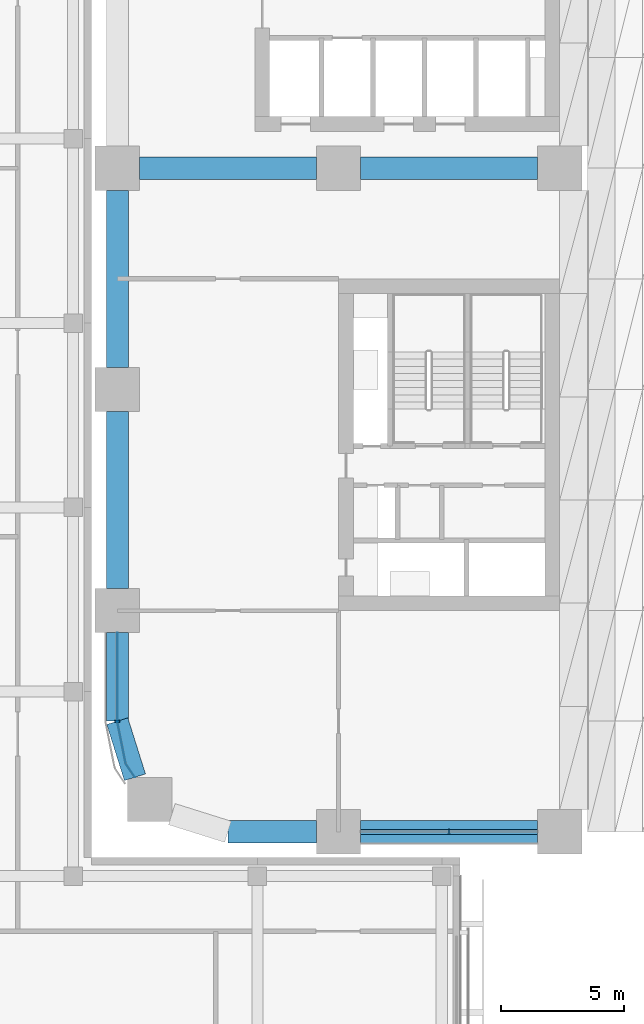
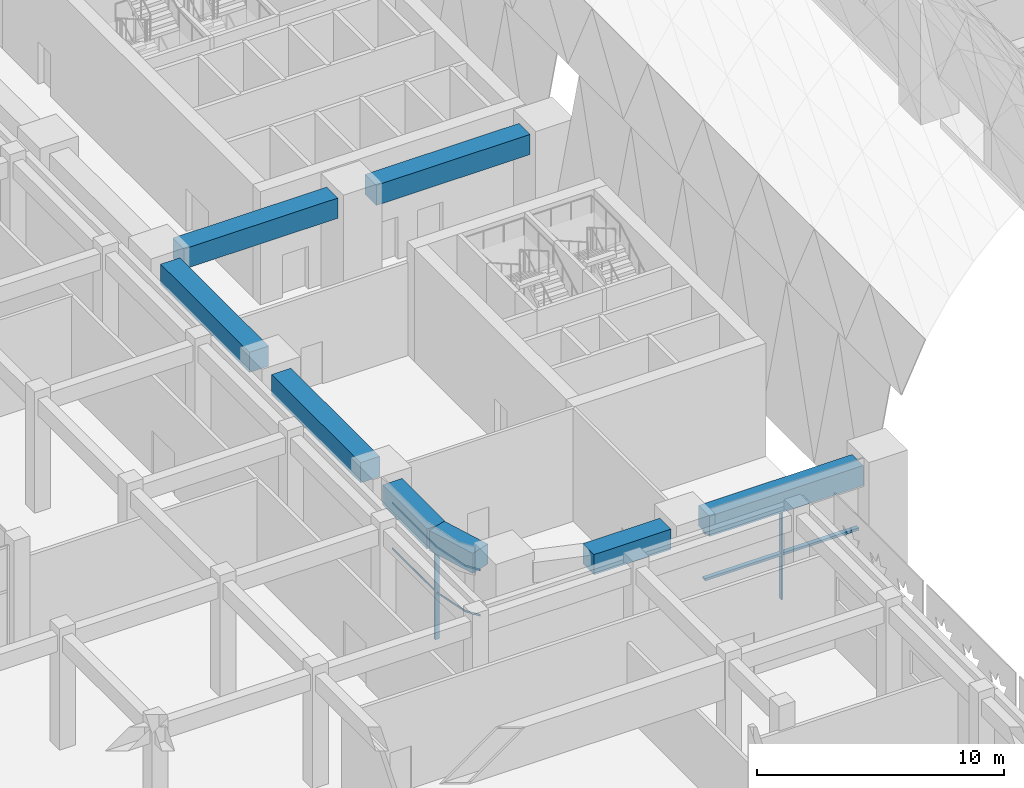
# One storey, part 5 of 46: 8 beams, 6 members, 2 elements without a shape of their own.
"""IFC4 building model written with IfcOpenShell, lengths in metres."""

from ifc_helpers import new_model, si_unit, direction, frame, origin, origin_2d, place, context, subcontext, project, spatial, polyline, rectangle, outline, extrude, material, material_profile, profile_set, type_object, element, aggregate, save


model = new_model("IFC4")

# Units and contexts
model_context = context("Model", 3, precision=1e-05, world=origin(), true_north=direction((0.0, 1.0)))
body_context = subcontext(model_context, "Body", "Model", "MODEL_VIEW")
ifc_project = project(units=[si_unit("LENGTHUNIT", "METRE"), si_unit("AREAUNIT", "SQUARE_METRE"), si_unit("VOLUMEUNIT", "CUBIC_METRE"), si_unit("PLANEANGLEUNIT", "RADIAN"), si_unit("MASSUNIT", "GRAM", prefix="KILO")], contexts=[model_context])

# Site, building, storey
site_placement = place(None, origin())
site = spatial("IfcSite", under=ifc_project, at=site_placement, CompositionType="ELEMENT")
building_placement = place(site_placement, origin())
building = spatial("IfcBuilding", under=site, at=building_placement, Name="Tessera Arch", CompositionType="ELEMENT")
storey_placement = place(building_placement, frame((0.0, 0.0, 8.0)))
storey = spatial("IfcBuildingStorey", under=building, at=storey_placement, Name="L01", CompositionType="ELEMENT", Elevation=8.0)

# Curtain wall, members
ifc_material_1 = material(Name="CW2 curtain wall")
curtain_wall_type_1 = type_object("IfcCurtainWallType", Name="CW2 curtain wall", PredefinedType="NOTDEFINED", material=ifc_material_1)
curtain_wall_1_placement = place(storey_placement, origin())
curtain_wall_1 = element("IfcCurtainWall", 1, at=curtain_wall_1_placement, inside=storey, type_object=curtain_wall_type_1, Name="CW2 curtain wall W0.0/5 L01", PredefinedType="NOTDEFINED")
ifc_material_2 = material(Name="Anodised aluminium pale metal", Category="aluminium")
ifc_material_profile_1 = material_profile(ifc_material_2, rectangle(XDim=0.199951171875, YDim=0.080078125, at=origin_2d()), Name="AL 80x200")
ifc_profile_set_1 = profile_set([ifc_material_profile_1], Name="Anodised aluminium pale metal")
member_type_1 = type_object("IfcMemberType", Name="CW2 mullion", PredefinedType="MULLION", material=ifc_profile_set_1)
member_1_placement = place(storey_placement, frame((0.0, 4.5, 0.0), z_axis=(0.0, 0.0, 1.0), x_axis=(1.0, 0.0, 0.0)))
member_1 = element("IfcMember", 2, at=member_1_placement, type_object=member_type_1, Name="CW2 mullion W0.0/5 1", PredefinedType="MULLION", context=body_context, shape_type="SweptSolid", body=[
    extrude(rectangle(XDim=0.199951171875, YDim=0.080078125, at=origin_2d()), origin(), (0.0, 0.0, 1.0), 4.489990234375),
])
ifc_material_3 = material(Name="Anodised aluminium pale metal", Category="aluminium")
ifc_material_profile_2 = material_profile(ifc_material_3, rectangle(XDim=0.199951171875, YDim=0.10009765625, at=origin_2d()), Name="AL 200x100")
ifc_profile_set_2 = profile_set([ifc_material_profile_2], Name="Anodised aluminium pale metal")
member_type_2 = type_object("IfcMemberType", Name="CW2 transom", PredefinedType="USERDEFINED", material=ifc_profile_set_2)
member_2_placement = place(storey_placement, frame((0.0, 0.0, 2.2451171875)))
member_2 = element("IfcMember", 3, at=member_2_placement, type_object=member_type_2, Name="CW2 transom W0.0/5 1", ObjectType="TRANSOM", PredefinedType="USERDEFINED", context=body_context, shape_type="SweptSolid", body=[
    extrude(outline(polyline([(0.010009765625, 4.5009765625), (0.010009765625, 8.10009765625), (-0.010009765625, 8.10009765625), (-0.010009765625, 4.4990234375), (0.3330078125, 2.77392578125), (0.70849609375, 2.21240234375), (0.72509765625, 2.2236328125), (0.351806640625, 2.78173828125), (0.010009765625, 4.5009765625)])), origin(), (0.0, 0.0, 1.0), 0.099853515625),
])
member_3_placement = place(storey_placement, frame((0.0, 0.0, 4.489990234375)))
member_3 = element("IfcMember", 4, at=member_3_placement, type_object=member_type_2, Name="CW2 transom W0.0/5 2", ObjectType="TRANSOM", PredefinedType="USERDEFINED", context=body_context, shape_type="SweptSolid", body=[
    extrude(outline(polyline([(0.010009765625, 4.5009765625), (0.010009765625, 8.10009765625), (-0.010009765625, 8.10009765625), (-0.010009765625, 4.4990234375), (0.3330078125, 2.77392578125), (0.70849609375, 2.21240234375), (0.72509765625, 2.2236328125), (0.351806640625, 2.78173828125), (0.010009765625, 4.5009765625)])), origin(), (0.0, 0.0, 1.0), 0.10009765625),
])
aggregate(curtain_wall_1, [member_1, member_2, member_3])

ifc_material_4 = material(Name="CW6 curtain wall")
curtain_wall_type_2 = type_object("IfcCurtainWallType", Name="CW6 curtain wall", PredefinedType="NOTDEFINED", material=ifc_material_4)
curtain_wall_2_placement = place(storey_placement, origin())
curtain_wall_2 = element("IfcCurtainWall", 5, at=curtain_wall_2_placement, inside=storey, type_object=curtain_wall_type_2, Name="CW6 curtain wall S0.0/1 L01", PredefinedType="NOTDEFINED")
ifc_material_5 = material(Name="Anodised aluminium pale metal", Category="aluminium")
ifc_material_profile_3 = material_profile(ifc_material_5, rectangle(XDim=0.199951171875, YDim=0.070068359375, at=origin_2d()), Name="AL 70x200")
ifc_profile_set_3 = profile_set([ifc_material_profile_3], Name="Anodised aluminium pale metal")
member_type_3 = type_object("IfcMemberType", Name="CW6 mullion", PredefinedType="MULLION", material=ifc_profile_set_3)
member_4_placement = place(storey_placement, frame((13.5, 0.0, 0.0), z_axis=(0.0, 0.0, 1.0), x_axis=(0.0, 1.0, 0.0)))
member_4 = element("IfcMember", 6, at=member_4_placement, type_object=member_type_3, Name="CW6 mullion S0.0/1 1", PredefinedType="MULLION", context=body_context, shape_type="SweptSolid", body=[
    extrude(rectangle(XDim=0.199951171875, YDim=0.070068359375, at=origin_2d()), origin(), (0.0, 0.0, 1.0), 4.469970703125),
])
ifc_material_6 = material(Name="Anodised aluminium pale metal", Category="aluminium")
ifc_material_profile_4 = material_profile(ifc_material_6, rectangle(XDim=0.199951171875, YDim=0.1201171875, at=origin_2d()), Name="AL 200x120")
ifc_profile_set_4 = profile_set([ifc_material_profile_4], Name="Anodised aluminium pale metal")
member_type_4 = type_object("IfcMemberType", Name="CW6 transom", PredefinedType="USERDEFINED", material=ifc_profile_set_4)
member_5_placement = place(storey_placement, frame((9.89990234375, 0.0, 4.530029296875), z_axis=(1.0, 0.0, 0.0), x_axis=(0.0, 1.0, 0.0)))
member_5 = element("IfcMember", 7, at=member_5_placement, type_object=member_type_4, Name="CW6 transom S0.0/1 1.1", ObjectType="TRANSOM", PredefinedType="USERDEFINED", context=body_context, shape_type="SweptSolid", body=[
    extrude(rectangle(XDim=0.199951171875, YDim=0.1201171875, at=origin_2d()), origin(), (0.0, 0.0, 1.0), 7.2001953125),
])
member_6_placement = place(storey_placement, frame((9.89990234375, 0.0, 2.235107421875), z_axis=(1.0, 0.0, 0.0), x_axis=(0.0, 1.0, 0.0)))
member_6 = element("IfcMember", 8, at=member_6_placement, type_object=member_type_4, Name="CW6 transom S0.0/1 2.1", ObjectType="TRANSOM", PredefinedType="USERDEFINED", context=body_context, shape_type="SweptSolid", body=[
    extrude(rectangle(XDim=0.199951171875, YDim=0.1201171875, at=origin_2d()), origin(), (0.0, 0.0, 1.0), 7.2001953125),
])
aggregate(curtain_wall_2, [member_4, member_5, member_6])

# Beams
ifc_material_7 = material(Name="Concrete C80/95", Category="concrete")
ifc_material_profile_5 = material_profile(ifc_material_7, rectangle(XDim=0.89990234375, YDim=1.0, at=origin_2d()), Name="RC spandrel beam 900 x 1000 Concrete C80/95")
ifc_profile_set_5 = profile_set([ifc_material_profile_5], Name="Concrete C80/95")
beam_type = type_object("IfcBeamType", Name="RC spandrel beam 900 x 1000 Concrete C80/95", PredefinedType="BEAM", material=ifc_profile_set_5)
for number, where, z_axis, x_axis, name in (
    (9, (0.0, 26.10009765625, 5.090087890625), (0.0, -1.0, 0.0), (1.0, 0.0, 0.0), "Spandrel beam L01 W0.0/3"),
    (10, (0.0, 17.10009765625, 5.090087890625), (0.0, -1.0, 0.0), (1.0, 0.0, 0.0), "Spandrel beam L01 W0.0/4"),
):
    element("IfcBeam", number, at=place(storey_placement, frame(where, z_axis=z_axis, x_axis=x_axis)), inside=storey, type_object=beam_type, Name=name, PredefinedType="BEAM", context=body_context, shape_type="SweptSolid", body=[
        extrude(rectangle(XDim=0.89990234375, YDim=1.0, at=origin_2d()), origin(), (0.0, 0.0, 1.0), 7.2001953125),
    ])
beam_1_placement = place(storey_placement, frame((0.0, 8.10009765625, 5.090087890625), z_axis=(0.0, -1.0, 0.0), x_axis=(1.0, 0.0, 0.0)))
element("IfcBeam", 11, at=beam_1_placement, inside=storey, type_object=beam_type, Name="Spandrel beam L01 W0.0/5.1", PredefinedType="BEAM", context=body_context, shape_type="SweptSolid", body=[
    extrude(rectangle(XDim=0.89990234375, YDim=1.0, at=origin_2d()), origin(), (0.0, 0.0, 1.0), 3.60009765625),
])
beam_2_placement = place(storey_placement, frame((0.0, 4.5, 5.090087890625), z_axis=(0.299675309057, -0.954041251279, 0.0), x_axis=(0.954041251279, 0.299675309057, 0.0)))
element("IfcBeam", 12, at=beam_2_placement, inside=storey, type_object=beam_type, Name="Spandrel beam L01 W0.0/5.2", PredefinedType="BEAM", context=body_context, shape_type="SweptSolid", body=[
    extrude(rectangle(XDim=0.89990234375, YDim=1.0, at=origin_2d()), origin(), (0.0, 0.0, 1.0), 2.391845703125),
])
beam_3_placement = place(storey_placement, frame((4.5, 0.0, 5.090087890625), z_axis=(1.0, 0.0, 0.0), x_axis=(0.0, 1.0, 0.0)))
element("IfcBeam", 13, at=beam_3_placement, inside=storey, type_object=beam_type, Name="Spandrel beam L01 S0.0/0.2", PredefinedType="BEAM", context=body_context, shape_type="SweptSolid", body=[
    extrude(rectangle(XDim=0.89990234375, YDim=1.0, at=origin_2d()), origin(), (0.0, 0.0, 1.0), 3.60009765625),
])
for number, where, z_axis, x_axis, name in (
    (14, (9.89990234375, 0.0, 5.090087890625), (1.0, 0.0, 0.0), (0.0, 1.0, 0.0), "Spandrel beam L01 S0.0/1"),
    (15, (0.89990234375, 27.0, 5.090087890625), (1.0, 0.0, 0.0), (0.0, 1.0, 0.0), "Interface beam L01 I1C1D-C2D"),
    (16, (9.89990234375, 27.0, 5.090087890625), (1.0, 0.0, 0.0), (0.0, 1.0, 0.0), "Interface beam L01 I1C2D-C3D"),
):
    element("IfcBeam", number, at=place(storey_placement, frame(where, z_axis=z_axis, x_axis=x_axis)), inside=storey, type_object=beam_type, Name=name, PredefinedType="BEAM", context=body_context, shape_type="SweptSolid", body=[
        extrude(rectangle(XDim=0.89990234375, YDim=1.0, at=origin_2d()), origin(), (0.0, 0.0, 1.0), 7.2001953125),
    ])

save(model, "model.ifc")
